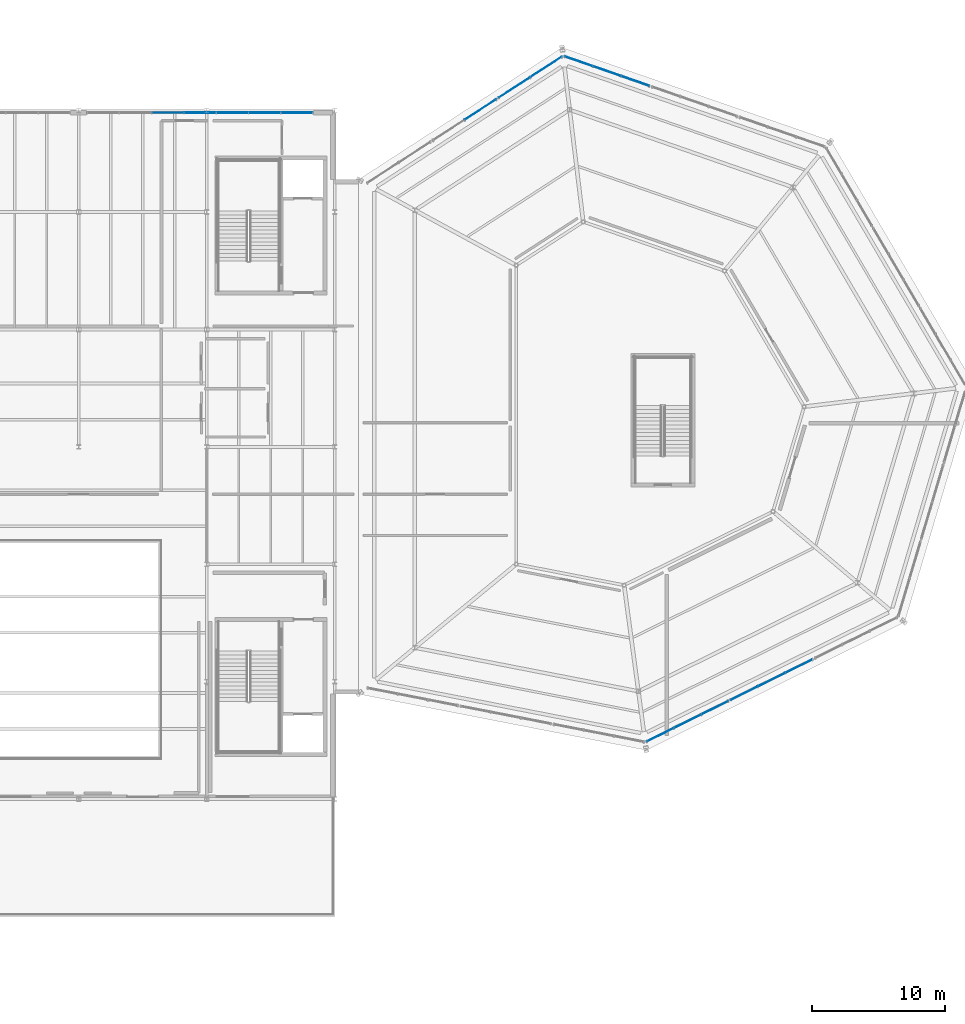
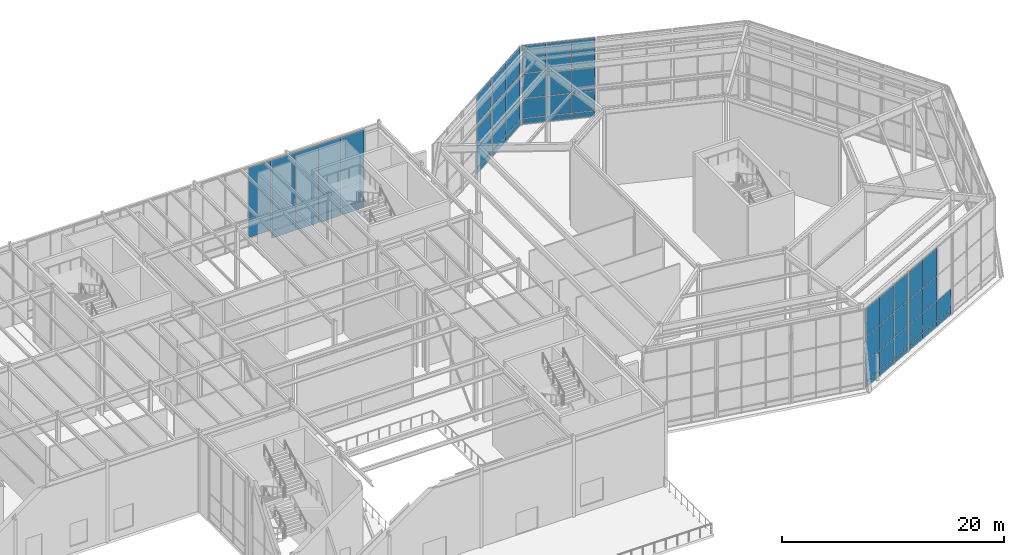
# One storey, part 28 of 48: 60 plates, 6 elements without a shape of their own.
"""IFC4 building model written with IfcOpenShell, lengths in metres."""

import ifcopenshell
import ifcopenshell.guid

model = None  # the IFC model being written
_history = None  # IfcOwnerHistory: only IFC2X3 demands one
_inside = {}  # id of a spatial element -> (the spatial element, [elements in it])
_under = {}  # id of a project, library or spatial element -> (it, [spatial elements below it])
_declared = {}  # id of a project -> (the project, [libraries it declares])
_typed = {}  # id of a type object -> (the type object, [elements of that type])
_made_of = {}  # id of a material, layer set ... -> (it, [elements and type objects made of it])


def new_model(schema):
    """Start an empty IFC model of exactly this schema.

    Asked for "IFC4X3", IfcOpenShell would pick the latest addendum, in which some entities
    have other attributes; the version numbers below select the first issue.
    IFC2X3 requires an IfcOwnerHistory on every rooted entity: one is made here for all.
    """
    global model, _history
    if schema == "IFC4X3":
        model = ifcopenshell.file(schema_version=(4, 3, 0, 0))
    else:
        model = ifcopenshell.file(schema=schema)
    _inside.clear()
    _under.clear()
    _declared.clear()
    _typed.clear()
    _made_of.clear()
    _history = None
    if model.schema == "IFC2X3":
        org = make("IfcOrganization", Name="unknown")
        user = make(
            "IfcPersonAndOrganization",
            ThePerson=make("IfcPerson", FamilyName="unknown"),
            TheOrganization=org,
        )
        app = make(
            "IfcApplication",
            ApplicationDeveloper=org,
            Version="unknown",
            ApplicationFullName="unknown",
            ApplicationIdentifier="unknown",
        )
        _history = make(
            "IfcOwnerHistory",
            OwningUser=user,
            OwningApplication=app,
            ChangeAction="ADDED",
            CreationDate=0,
        )
    return model


def make(cls, **values):
    """One entity of the class cls with the attributes given. An attribute that is None is left unset."""
    return model.create_entity(
        cls, **{name: value for name, value in values.items() if value is not None}
    )


def rooted(cls, **values):
    """An entity with a GlobalId (a new one), such as an element, a storey or a relation."""
    return make(cls, GlobalId=ifcopenshell.guid.new(), OwnerHistory=_history, **values)


def si_unit(unit_type, name, prefix=None):
    """IfcSIUnit, for example si_unit("LENGTHUNIT", "METRE", prefix="MILLI")."""
    return make("IfcSIUnit", UnitType=unit_type, Prefix=prefix, Name=name)


def assignment(units):
    """IfcUnitAssignment: the units of a project."""
    return None if units is None else make("IfcUnitAssignment", Units=units)


def point(xyz):
    """IfcCartesianPoint."""
    return None if xyz is None else make("IfcCartesianPoint", Coordinates=xyz)


def direction(xyz):
    """IfcDirection."""
    return None if xyz is None else make("IfcDirection", DirectionRatios=xyz)


def frame(location, z_axis=None, x_axis=None):
    """IfcAxis2Placement3D, a coordinate frame: its origin and axes. An axis left out is left unset."""
    return make(
        "IfcAxis2Placement3D",
        Location=point(location),
        Axis=direction(z_axis),
        RefDirection=direction(x_axis),
    )


def frame_2d(location, x_axis=None):
    """IfcAxis2Placement2D, a coordinate frame in the plane: its origin and x axis."""
    return make(
        "IfcAxis2Placement2D", Location=point(location), RefDirection=direction(x_axis)
    )


def origin():
    """The frame at (0, 0, 0) with its axes left unset."""
    return frame((0.0, 0.0, 0.0))


def origin_2d():
    """The frame at (0, 0) in the plane with its x axis left unset."""
    return frame_2d((0.0, 0.0))


def place(relative_to, where):
    """IfcLocalPlacement: puts the frame where relative to a parent placement (None: the world)."""
    return make(
        "IfcLocalPlacement", PlacementRelTo=relative_to, RelativePlacement=where
    )


def context(
    kind, dimensions, precision=None, world=None, true_north=None, identifier=None
):
    """IfcGeometricRepresentationContext, for example the 3D "Model" context."""
    return make(
        "IfcGeometricRepresentationContext",
        ContextIdentifier=identifier,
        ContextType=kind,
        CoordinateSpaceDimension=dimensions,
        Precision=precision,
        WorldCoordinateSystem=world,
        TrueNorth=true_north,
    )


def subcontext(parent, identifier, kind, view, scale=None):
    """IfcGeometricRepresentationSubContext, for example "Body" below "Model"."""
    return make(
        "IfcGeometricRepresentationSubContext",
        ContextIdentifier=identifier,
        ContextType=kind,
        ParentContext=parent,
        TargetScale=scale,
        TargetView=view,
    )


def project(units=None, contexts=None):
    """IfcProject with its units and contexts."""
    return rooted(
        "IfcProject",
        Name="project",
        RepresentationContexts=contexts,
        UnitsInContext=assignment(units),
    )


def spatial(cls, under=None, at=None, **own):
    """A site, building, storey or space (cls), placed at a placement, below another one or the project."""
    s = rooted(cls, ObjectPlacement=at, **own)
    if under is not None:
        _under.setdefault(under.id(), (under, []))[1].append(s)
    return s


def profile(cls, at=None, kind="AREA", **sizes):
    """A parametric profile (cls). Its sizes go by their IFC names, for example OverallWidth=200.0."""
    return make(cls, ProfileType=kind, Position=at, **sizes)


def rectangle(**sizes):
    """IfcRectangleProfileDef."""
    return profile("IfcRectangleProfileDef", **sizes)


def extrude(swept, where, along, depth):
    """IfcExtrudedAreaSolid: the profile swept, set in the frame where, extruded along a direction by depth."""
    return make(
        "IfcExtrudedAreaSolid",
        SweptArea=swept,
        Position=where,
        ExtrudedDirection=direction(along),
        Depth=depth,
    )


def shape(context_of_items, identifier, shape_type, items):
    """IfcShapeRepresentation: the items that make up one representation, for example the "Body"."""
    return make(
        "IfcShapeRepresentation",
        ContextOfItems=context_of_items,
        RepresentationIdentifier=identifier,
        RepresentationType=shape_type,
        Items=items,
    )


def material(Name=None, Category=None):
    """IfcMaterial."""
    return make("IfcMaterial", Name=Name, Category=Category)


def layer(
    of_material, thickness, ventilated=None, Name=None, Category=None, Priority=None
):
    """IfcMaterialLayer: one layer of a wall or slab, of a material (None: an air gap)."""
    return make(
        "IfcMaterialLayer",
        Material=of_material,
        LayerThickness=thickness,
        IsVentilated=ventilated,
        Name=Name,
        Category=Category,
        Priority=Priority,
    )


def layer_set(layers, Name=None):
    """IfcMaterialLayerSet."""
    return make("IfcMaterialLayerSet", MaterialLayers=layers, LayerSetName=Name)


def made_of(thing, what):
    """Note that an element or type object is made of a material, layer set ...; save() writes the relation."""
    if what is not None:
        _made_of.setdefault(what.id(), (what, []))[1].append(thing)
    return thing


def type_object(cls, material=None, **own):
    """A type object (cls), such as IfcWallType, which elements share."""
    return made_of(rooted(cls, **own), material)


def element(
    cls,
    number,
    at=None,
    inside=None,
    cuts=None,
    type_object=None,
    material=None,
    context=None,
    identifier="Body",
    shape_type=None,
    held_by="IfcProductDefinitionShape",
    body=None,
    shapes=None,
    **own,
):
    """One element of the class cls, such as IfcWall. Its Tag is "e" and its number.

    at: its placement. inside: the storey or other place that contains it. cuts: it is an
    opening in that element (IfcRelVoidsElement). A single representation is given by context,
    identifier, shape_type and body (its items); several are given by shapes. held_by: the class
    of the entity that holds the representations. save() writes the other relations.
    """
    e = rooted(cls, Tag="e%d" % number, ObjectPlacement=at, **own)
    if body is not None:
        shapes = [shape(context, identifier, shape_type, body)]
    if shapes is not None:
        e.Representation = make(held_by, Representations=shapes)
    if inside is not None:
        _inside.setdefault(inside.id(), (inside, []))[1].append(e)
    if cuts is not None:
        rooted(
            "IfcRelVoidsElement", RelatingBuildingElement=cuts, RelatedOpeningElement=e
        )
    if type_object is not None:
        _typed.setdefault(type_object.id(), (type_object, []))[1].append(e)
    return made_of(e, material)


def aggregate(whole, parts):
    """IfcRelAggregates: a whole, such as a stair, and the parts it consists of."""
    return rooted("IfcRelAggregates", RelatingObject=whole, RelatedObjects=parts)


def save(model, path):
    """Write the relations noted so far, then the file.

    IfcRelAggregates (storeys below a building ...), IfcRelContainedInSpatialStructure (elements
    in a storey), IfcRelDefinesByType, IfcRelAssociatesMaterial and IfcRelDeclares: one each for
    every whole, place, type object, material and project.
    """
    for whole, parts in _under.values():
        aggregate(whole, parts)
    for where, things in _inside.values():
        rooted(
            "IfcRelContainedInSpatialStructure",
            RelatedElements=things,
            RelatingStructure=where,
        )
    for kind, things in _typed.values():
        rooted("IfcRelDefinesByType", RelatedObjects=things, RelatingType=kind)
    for what, things in _made_of.values():
        rooted("IfcRelAssociatesMaterial", RelatedObjects=things, RelatingMaterial=what)
    for by, libraries in _declared.values():
        rooted("IfcRelDeclares", RelatingContext=by, RelatedDefinitions=libraries)
    model.write(path)


model = new_model("IFC4")

# Units and contexts
model_context = context("Model", 3, precision=1e-05, world=origin(), true_north=direction((0.0, 1.0)))
body_context = subcontext(model_context, "Body", "Model", "MODEL_VIEW")
ifc_project = project(units=[si_unit("LENGTHUNIT", "METRE"), si_unit("AREAUNIT", "SQUARE_METRE"), si_unit("VOLUMEUNIT", "CUBIC_METRE"), si_unit("PLANEANGLEUNIT", "RADIAN"), si_unit("MASSUNIT", "GRAM", prefix="KILO")], contexts=[model_context])

# Site, building, storey
site_placement = place(None, origin())
site = spatial("IfcSite", under=ifc_project, at=site_placement, CompositionType="ELEMENT")
building_placement = place(site_placement, origin())
building = spatial("IfcBuilding", under=site, at=building_placement, Name="Sarnbrook Museum", CompositionType="ELEMENT")
storey_placement = place(building_placement, frame((0.0, 0.0, 19.10009765625)))
storey = spatial("IfcBuildingStorey", under=building, at=storey_placement, Name="L04", CompositionType="ELEMENT", Elevation=19.10009765625)

# Curtain wall, plates
ifc_material_1 = material(Name="Thermally Broken Anodised Aluminium 6063-T6", Category="aluminium")
curtain_wall_type_1 = type_object("IfcCurtainWallType", Name="CurtainWall_CrystalFacet", PredefinedType="NOTDEFINED", material=ifc_material_1)
curtain_wall_1_placement = place(storey_placement, origin())
curtain_wall_1 = element("IfcCurtainWall", 1, at=curtain_wall_1_placement, inside=storey, type_object=curtain_wall_type_1, Name="Crystal Hall Facet Curtain Wall L04-F2.1", PredefinedType="NOTDEFINED")
ifc_material_2 = material(Name="Double-Glazed Low-Iron Laminated Safety Glass", Category="glass")
ifc_layer_1 = layer(ifc_material_2, 0.031982421875)
ifc_layer_set_1 = layer_set([ifc_layer_1], Name="Double-Glazed Low-Iron Laminated Safety Glass")
plate_type_1 = type_object("IfcPlateType", Name="CW_GlazedPanel_32", PredefinedType="CURTAIN_PANEL", material=ifc_layer_set_1)
plate_1_placement = place(storey_placement, frame((143.567138671875, 61.614013671875, 1.75), z_axis=(0.443729053882, -0.896160993762, 0.0), x_axis=(0.896160993762, 0.443729053882, 0.0)))
plate_1 = element("IfcPlate", 2, at=plate_1_placement, type_object=plate_type_1, Name="Crystal Hall Facet Curtain Wall L04-F2.1 Glazed Panel 1-2", PredefinedType="CURTAIN_PANEL", context=body_context, shape_type="SweptSolid", body=[
    extrude(rectangle(XDim=2.223388671875, YDim=2.1298828125, at=origin_2d()), origin(), (0.0, 0.0, 1.0), 0.031982421875),
])
plate_2_placement = place(storey_placement, frame((143.567138671875, 61.614013671875, 4.224853515625), z_axis=(0.443729053882, -0.896160993762, 0.0), x_axis=(0.896160993762, 0.443729053882, 0.0)))
plate_2 = element("IfcPlate", 3, at=plate_2_placement, type_object=plate_type_1, Name="Crystal Hall Facet Curtain Wall L04-F2.1 Glazed Panel 1-3", PredefinedType="CURTAIN_PANEL", context=body_context, shape_type="SweptSolid", body=[
    extrude(rectangle(XDim=2.223388671875, YDim=2.679931640625, at=origin_2d()), origin(), (0.0, 0.0, 1.0), 0.031982421875),
])
plate_3_placement = place(storey_placement, frame((143.567138671875, 61.614013671875, 7.169921875), z_axis=(0.443729053882, -0.896160993762, 0.0), x_axis=(0.896160993762, 0.443729053882, 0.0)))
plate_3 = element("IfcPlate", 4, at=plate_3_placement, type_object=plate_type_1, Name="Crystal Hall Facet Curtain Wall L04-F2.1 Glazed Panel 1-4", PredefinedType="CURTAIN_PANEL", context=body_context, shape_type="SweptSolid", body=[
    extrude(rectangle(XDim=2.223388671875, YDim=3.070068359375, at=origin_2d()), origin(), (0.0, 0.0, 1.0), 0.031982421875),
])
plate_4_placement = place(storey_placement, frame((145.626708984375, 62.6337890625, 1.75), z_axis=(0.443729053882, -0.896160993762, 0.0), x_axis=(0.896160993762, 0.443729053882, 0.0)))
plate_4 = element("IfcPlate", 5, at=plate_4_placement, type_object=plate_type_1, Name="Crystal Hall Facet Curtain Wall L04-F2.1 Glazed Panel 2-2", PredefinedType="CURTAIN_PANEL", context=body_context, shape_type="SweptSolid", body=[
    extrude(rectangle(XDim=2.223388671875, YDim=2.1298828125, at=origin_2d()), origin(), (0.0, 0.0, 1.0), 0.031982421875),
])
plate_5_placement = place(storey_placement, frame((145.626708984375, 62.6337890625, 4.224853515625), z_axis=(0.443729053882, -0.896160993762, 0.0), x_axis=(0.896160993762, 0.443729053882, 0.0)))
plate_5 = element("IfcPlate", 6, at=plate_5_placement, type_object=plate_type_1, Name="Crystal Hall Facet Curtain Wall L04-F2.1 Glazed Panel 2-3", PredefinedType="CURTAIN_PANEL", context=body_context, shape_type="SweptSolid", body=[
    extrude(rectangle(XDim=2.223388671875, YDim=2.679931640625, at=origin_2d()), origin(), (0.0, 0.0, 1.0), 0.031982421875),
])
plate_6_placement = place(storey_placement, frame((145.626708984375, 62.6337890625, 7.169921875), z_axis=(0.443729053882, -0.896160993762, 0.0), x_axis=(0.896160993762, 0.443729053882, 0.0)))
plate_6 = element("IfcPlate", 7, at=plate_6_placement, type_object=plate_type_1, Name="Crystal Hall Facet Curtain Wall L04-F2.1 Glazed Panel 2-4", PredefinedType="CURTAIN_PANEL", context=body_context, shape_type="SweptSolid", body=[
    extrude(rectangle(XDim=2.223388671875, YDim=3.070068359375, at=origin_2d()), origin(), (0.0, 0.0, 1.0), 0.031982421875),
])
plate_7_placement = place(storey_placement, frame((147.6865234375, 63.65380859375, 1.75), z_axis=(0.443729053882, -0.896160993762, 0.0), x_axis=(0.896160993762, 0.443729053882, 0.0)))
plate_7 = element("IfcPlate", 8, at=plate_7_placement, type_object=plate_type_1, Name="Crystal Hall Facet Curtain Wall L04-F2.1 Glazed Panel 3-2", PredefinedType="CURTAIN_PANEL", context=body_context, shape_type="SweptSolid", body=[
    extrude(rectangle(XDim=2.223388671875, YDim=2.1298828125, at=origin_2d()), origin(), (0.0, 0.0, 1.0), 0.031982421875),
])
plate_8_placement = place(storey_placement, frame((147.6865234375, 63.65380859375, 4.224853515625), z_axis=(0.443729053882, -0.896160993762, 0.0), x_axis=(0.896160993762, 0.443729053882, 0.0)))
plate_8 = element("IfcPlate", 9, at=plate_8_placement, type_object=plate_type_1, Name="Crystal Hall Facet Curtain Wall L04-F2.1 Glazed Panel 3-3", PredefinedType="CURTAIN_PANEL", context=body_context, shape_type="SweptSolid", body=[
    extrude(rectangle(XDim=2.223388671875, YDim=2.679931640625, at=origin_2d()), origin(), (0.0, 0.0, 1.0), 0.031982421875),
])
plate_9_placement = place(storey_placement, frame((147.6865234375, 63.65380859375, 7.169921875), z_axis=(0.443729053882, -0.896160993762, 0.0), x_axis=(0.896160993762, 0.443729053882, 0.0)))
plate_9 = element("IfcPlate", 10, at=plate_9_placement, type_object=plate_type_1, Name="Crystal Hall Facet Curtain Wall L04-F2.1 Glazed Panel 3-4", PredefinedType="CURTAIN_PANEL", context=body_context, shape_type="SweptSolid", body=[
    extrude(rectangle(XDim=2.223388671875, YDim=3.070068359375, at=origin_2d()), origin(), (0.0, 0.0, 1.0), 0.031982421875),
])

curtain_wall_2_placement = place(storey_placement, origin())
curtain_wall_2 = element("IfcCurtainWall", 11, at=curtain_wall_2_placement, inside=storey, type_object=curtain_wall_type_1, Name="Crystal Hall Facet Curtain Wall L04-F2.2", PredefinedType="NOTDEFINED")
plate_10_placement = place(storey_placement, frame((149.8896484375, 64.74462890625, 1.75), z_axis=(0.443729053882, -0.896160993762, 0.0), x_axis=(0.896160993762, 0.443729053882, 0.0)))
plate_10 = element("IfcPlate", 12, at=plate_10_placement, type_object=plate_type_1, Name="Crystal Hall Facet Curtain Wall L04-F2.2 Glazed Panel 1-2", PredefinedType="CURTAIN_PANEL", context=body_context, shape_type="SweptSolid", body=[
    extrude(rectangle(XDim=2.223388671875, YDim=2.1298828125, at=origin_2d()), origin(), (0.0, 0.0, 1.0), 0.031982421875),
])
plate_11_placement = place(storey_placement, frame((149.8896484375, 64.74462890625, 4.224853515625), z_axis=(0.443729053882, -0.896160993762, 0.0), x_axis=(0.896160993762, 0.443729053882, 0.0)))
plate_11 = element("IfcPlate", 13, at=plate_11_placement, type_object=plate_type_1, Name="Crystal Hall Facet Curtain Wall L04-F2.2 Glazed Panel 1-3", PredefinedType="CURTAIN_PANEL", context=body_context, shape_type="SweptSolid", body=[
    extrude(rectangle(XDim=2.223388671875, YDim=2.679931640625, at=origin_2d()), origin(), (0.0, 0.0, 1.0), 0.031982421875),
])
plate_12_placement = place(storey_placement, frame((149.8896484375, 64.74462890625, 7.169921875), z_axis=(0.443729053882, -0.896160993762, 0.0), x_axis=(0.896160993762, 0.443729053882, 0.0)))
plate_12 = element("IfcPlate", 14, at=plate_12_placement, type_object=plate_type_1, Name="Crystal Hall Facet Curtain Wall L04-F2.2 Glazed Panel 1-4", PredefinedType="CURTAIN_PANEL", context=body_context, shape_type="SweptSolid", body=[
    extrude(rectangle(XDim=2.223388671875, YDim=3.070068359375, at=origin_2d()), origin(), (0.0, 0.0, 1.0), 0.031982421875),
])
plate_13_placement = place(storey_placement, frame((151.94921875, 65.764404296875, 1.75), z_axis=(0.443729053882, -0.896160993762, 0.0), x_axis=(0.896160993762, 0.443729053882, 0.0)))
plate_13 = element("IfcPlate", 15, at=plate_13_placement, type_object=plate_type_1, Name="Crystal Hall Facet Curtain Wall L04-F2.2 Glazed Panel 2-2", PredefinedType="CURTAIN_PANEL", context=body_context, shape_type="SweptSolid", body=[
    extrude(rectangle(XDim=2.223388671875, YDim=2.1298828125, at=origin_2d()), origin(), (0.0, 0.0, 1.0), 0.031982421875),
])
plate_14_placement = place(storey_placement, frame((151.94921875, 65.764404296875, 4.224853515625), z_axis=(0.443729053882, -0.896160993762, 0.0), x_axis=(0.896160993762, 0.443729053882, 0.0)))
plate_14 = element("IfcPlate", 16, at=plate_14_placement, type_object=plate_type_1, Name="Crystal Hall Facet Curtain Wall L04-F2.2 Glazed Panel 2-3", PredefinedType="CURTAIN_PANEL", context=body_context, shape_type="SweptSolid", body=[
    extrude(rectangle(XDim=2.223388671875, YDim=2.679931640625, at=origin_2d()), origin(), (0.0, 0.0, 1.0), 0.031982421875),
])
plate_15_placement = place(storey_placement, frame((151.94921875, 65.764404296875, 7.169921875), z_axis=(0.443729053882, -0.896160993762, 0.0), x_axis=(0.896160993762, 0.443729053882, 0.0)))
plate_15 = element("IfcPlate", 17, at=plate_15_placement, type_object=plate_type_1, Name="Crystal Hall Facet Curtain Wall L04-F2.2 Glazed Panel 2-4", PredefinedType="CURTAIN_PANEL", context=body_context, shape_type="SweptSolid", body=[
    extrude(rectangle(XDim=2.223388671875, YDim=3.070068359375, at=origin_2d()), origin(), (0.0, 0.0, 1.0), 0.031982421875),
])
plate_16_placement = place(storey_placement, frame((154.009033203125, 66.784423828125, 1.75), z_axis=(0.443729053882, -0.896160993762, 0.0), x_axis=(0.896160993762, 0.443729053882, 0.0)))
plate_16 = element("IfcPlate", 18, at=plate_16_placement, type_object=plate_type_1, Name="Crystal Hall Facet Curtain Wall L04-F2.2 Glazed Panel 3-2", PredefinedType="CURTAIN_PANEL", context=body_context, shape_type="SweptSolid", body=[
    extrude(rectangle(XDim=2.223388671875, YDim=2.1298828125, at=origin_2d()), origin(), (0.0, 0.0, 1.0), 0.031982421875),
])

curtain_wall_3_placement = place(storey_placement, origin())
curtain_wall_3 = element("IfcCurtainWall", 19, at=curtain_wall_3_placement, inside=storey, type_object=curtain_wall_type_1, Name="Crystal Hall Facet Curtain Wall L04-F5.3", PredefinedType="NOTDEFINED")
plate_17_placement = place(storey_placement, frame((141.733154296875, 110.610595703125, 1.75), z_axis=(0.32801323482, 0.94467312748, 0.0), x_axis=(-0.94467312748, 0.32801323482, 0.0)))
plate_17 = element("IfcPlate", 20, at=plate_17_placement, type_object=plate_type_1, Name="Crystal Hall Facet Curtain Wall L04-F5.3 Glazed Panel 1-2", PredefinedType="CURTAIN_PANEL", context=body_context, shape_type="SweptSolid", body=[
    extrude(rectangle(XDim=2.18798828125, YDim=2.1298828125, at=origin_2d()), origin(), (0.0, 0.0, 1.0), 0.031982421875),
])
plate_18_placement = place(storey_placement, frame((141.733154296875, 110.610595703125, 4.224853515625), z_axis=(0.32801323482, 0.94467312748, 0.0), x_axis=(-0.94467312748, 0.32801323482, 0.0)))
plate_18 = element("IfcPlate", 21, at=plate_18_placement, type_object=plate_type_1, Name="Crystal Hall Facet Curtain Wall L04-F5.3 Glazed Panel 1-3", PredefinedType="CURTAIN_PANEL", context=body_context, shape_type="SweptSolid", body=[
    extrude(rectangle(XDim=2.18798828125, YDim=2.679931640625, at=origin_2d()), origin(), (0.0, 0.0, 1.0), 0.031982421875),
])
plate_19_placement = place(storey_placement, frame((141.733154296875, 110.610595703125, 7.169921875), z_axis=(0.32801323482, 0.94467312748, 0.0), x_axis=(-0.94467312748, 0.32801323482, 0.0)))
plate_19 = element("IfcPlate", 22, at=plate_19_placement, type_object=plate_type_1, Name="Crystal Hall Facet Curtain Wall L04-F5.3 Glazed Panel 1-4", PredefinedType="CURTAIN_PANEL", context=body_context, shape_type="SweptSolid", body=[
    extrude(rectangle(XDim=2.18798828125, YDim=3.070068359375, at=origin_2d()), origin(), (0.0, 0.0, 1.0), 0.031982421875),
])
plate_20_placement = place(storey_placement, frame((139.59521484375, 111.352783203125, 1.75), z_axis=(0.32801323482, 0.94467312748, 0.0), x_axis=(-0.94467312748, 0.32801323482, 0.0)))
plate_20 = element("IfcPlate", 23, at=plate_20_placement, type_object=plate_type_1, Name="Crystal Hall Facet Curtain Wall L04-F5.3 Glazed Panel 2-2", PredefinedType="CURTAIN_PANEL", context=body_context, shape_type="SweptSolid", body=[
    extrude(rectangle(XDim=2.18798828125, YDim=2.1298828125, at=origin_2d()), origin(), (0.0, 0.0, 1.0), 0.031982421875),
])
plate_21_placement = place(storey_placement, frame((139.59521484375, 111.352783203125, 4.224853515625), z_axis=(0.32801323482, 0.94467312748, 0.0), x_axis=(-0.94467312748, 0.32801323482, 0.0)))
plate_21 = element("IfcPlate", 24, at=plate_21_placement, type_object=plate_type_1, Name="Crystal Hall Facet Curtain Wall L04-F5.3 Glazed Panel 2-3", PredefinedType="CURTAIN_PANEL", context=body_context, shape_type="SweptSolid", body=[
    extrude(rectangle(XDim=2.18798828125, YDim=2.679931640625, at=origin_2d()), origin(), (0.0, 0.0, 1.0), 0.031982421875),
])
plate_22_placement = place(storey_placement, frame((139.59521484375, 111.352783203125, 7.169921875), z_axis=(0.32801323482, 0.94467312748, 0.0), x_axis=(-0.94467312748, 0.32801323482, 0.0)))
plate_22 = element("IfcPlate", 25, at=plate_22_placement, type_object=plate_type_1, Name="Crystal Hall Facet Curtain Wall L04-F5.3 Glazed Panel 2-4", PredefinedType="CURTAIN_PANEL", context=body_context, shape_type="SweptSolid", body=[
    extrude(rectangle(XDim=2.18798828125, YDim=3.070068359375, at=origin_2d()), origin(), (0.0, 0.0, 1.0), 0.031982421875),
])
plate_23_placement = place(storey_placement, frame((137.457275390625, 112.09521484375, 1.75), z_axis=(0.32801323482, 0.94467312748, 0.0), x_axis=(-0.94467312748, 0.32801323482, 0.0)))
plate_23 = element("IfcPlate", 26, at=plate_23_placement, type_object=plate_type_1, Name="Crystal Hall Facet Curtain Wall L04-F5.3 Glazed Panel 3-2", PredefinedType="CURTAIN_PANEL", context=body_context, shape_type="SweptSolid", body=[
    extrude(rectangle(XDim=2.18798828125, YDim=2.1298828125, at=origin_2d()), origin(), (0.0, 0.0, 1.0), 0.031982421875),
])
plate_24_placement = place(storey_placement, frame((137.457275390625, 112.09521484375, 4.224853515625), z_axis=(0.32801323482, 0.94467312748, 0.0), x_axis=(-0.94467312748, 0.32801323482, 0.0)))
plate_24 = element("IfcPlate", 27, at=plate_24_placement, type_object=plate_type_1, Name="Crystal Hall Facet Curtain Wall L04-F5.3 Glazed Panel 3-3", PredefinedType="CURTAIN_PANEL", context=body_context, shape_type="SweptSolid", body=[
    extrude(rectangle(XDim=2.18798828125, YDim=2.679931640625, at=origin_2d()), origin(), (0.0, 0.0, 1.0), 0.031982421875),
])
plate_25_placement = place(storey_placement, frame((137.457275390625, 112.09521484375, 7.169921875), z_axis=(0.32801323482, 0.94467312748, 0.0), x_axis=(-0.94467312748, 0.32801323482, 0.0)))
plate_25 = element("IfcPlate", 28, at=plate_25_placement, type_object=plate_type_1, Name="Crystal Hall Facet Curtain Wall L04-F5.3 Glazed Panel 3-4", PredefinedType="CURTAIN_PANEL", context=body_context, shape_type="SweptSolid", body=[
    extrude(rectangle(XDim=2.18798828125, YDim=3.070068359375, at=origin_2d()), origin(), (0.0, 0.0, 1.0), 0.031982421875),
])

curtain_wall_4_placement = place(storey_placement, origin())
curtain_wall_4 = element("IfcCurtainWall", 29, at=curtain_wall_4_placement, inside=storey, type_object=curtain_wall_type_1, Name="Crystal Hall Facet Curtain Wall L04-F6.1", PredefinedType="NOTDEFINED")
plate_26_placement = place(storey_placement, frame((135.055908203125, 111.673583984375, 1.75), z_axis=(-0.544286878136, 0.83889915621, 0.0), x_axis=(-0.83889915621, -0.544286878136, 0.0)))
plate_26 = element("IfcPlate", 30, at=plate_26_placement, type_object=plate_type_1, Name="Crystal Hall Facet Curtain Wall L04-F6.1 Glazed Panel 1-2", PredefinedType="CURTAIN_PANEL", context=body_context, shape_type="SweptSolid", body=[
    extrude(rectangle(XDim=2.778076171875, YDim=2.1298828125, at=origin_2d()), origin(), (0.0, 0.0, 1.0), 0.031982421875),
])
plate_27_placement = place(storey_placement, frame((135.055908203125, 111.673583984375, 4.224853515625), z_axis=(-0.544286878136, 0.83889915621, 0.0), x_axis=(-0.83889915621, -0.544286878136, 0.0)))
plate_27 = element("IfcPlate", 31, at=plate_27_placement, type_object=plate_type_1, Name="Crystal Hall Facet Curtain Wall L04-F6.1 Glazed Panel 1-3", PredefinedType="CURTAIN_PANEL", context=body_context, shape_type="SweptSolid", body=[
    extrude(rectangle(XDim=2.778076171875, YDim=2.679931640625, at=origin_2d()), origin(), (0.0, 0.0, 1.0), 0.031982421875),
])
plate_28_placement = place(storey_placement, frame((135.055908203125, 111.673583984375, 7.169921875), z_axis=(-0.544286878136, 0.83889915621, 0.0), x_axis=(-0.83889915621, -0.544286878136, 0.0)))
plate_28 = element("IfcPlate", 32, at=plate_28_placement, type_object=plate_type_1, Name="Crystal Hall Facet Curtain Wall L04-F6.1 Glazed Panel 1-4", PredefinedType="CURTAIN_PANEL", context=body_context, shape_type="SweptSolid", body=[
    extrude(rectangle(XDim=2.778076171875, YDim=3.070068359375, at=origin_2d()), origin(), (0.0, 0.0, 1.0), 0.031982421875),
])
plate_29_placement = place(storey_placement, frame((132.66259765625, 110.12060546875, 1.75), z_axis=(-0.544286878136, 0.83889915621, 0.0), x_axis=(-0.83889915621, -0.544286878136, 0.0)))
plate_29 = element("IfcPlate", 33, at=plate_29_placement, type_object=plate_type_1, Name="Crystal Hall Facet Curtain Wall L04-F6.1 Glazed Panel 2-2", PredefinedType="CURTAIN_PANEL", context=body_context, shape_type="SweptSolid", body=[
    extrude(rectangle(XDim=2.778076171875, YDim=2.1298828125, at=origin_2d()), origin(), (0.0, 0.0, 1.0), 0.031982421875),
])
plate_30_placement = place(storey_placement, frame((132.66259765625, 110.12060546875, 4.224853515625), z_axis=(-0.544286878136, 0.83889915621, 0.0), x_axis=(-0.83889915621, -0.544286878136, 0.0)))
plate_30 = element("IfcPlate", 34, at=plate_30_placement, type_object=plate_type_1, Name="Crystal Hall Facet Curtain Wall L04-F6.1 Glazed Panel 2-3", PredefinedType="CURTAIN_PANEL", context=body_context, shape_type="SweptSolid", body=[
    extrude(rectangle(XDim=2.778076171875, YDim=2.679931640625, at=origin_2d()), origin(), (0.0, 0.0, 1.0), 0.031982421875),
])
plate_31_placement = place(storey_placement, frame((132.66259765625, 110.12060546875, 7.169921875), z_axis=(-0.544286878136, 0.83889915621, 0.0), x_axis=(-0.83889915621, -0.544286878136, 0.0)))
plate_31 = element("IfcPlate", 35, at=plate_31_placement, type_object=plate_type_1, Name="Crystal Hall Facet Curtain Wall L04-F6.1 Glazed Panel 2-4", PredefinedType="CURTAIN_PANEL", context=body_context, shape_type="SweptSolid", body=[
    extrude(rectangle(XDim=2.778076171875, YDim=3.070068359375, at=origin_2d()), origin(), (0.0, 0.0, 1.0), 0.031982421875),
])

curtain_wall_5_placement = place(storey_placement, origin())
curtain_wall_5 = element("IfcCurtainWall", 36, at=curtain_wall_5_placement, inside=storey, type_object=curtain_wall_type_1, Name="Crystal Hall Facet Curtain Wall L04-F6.2", PredefinedType="NOTDEFINED")
plate_32_placement = place(storey_placement, frame((130.135009765625, 108.480712890625, 1.75), z_axis=(-0.544286878136, 0.83889915621, 0.0), x_axis=(-0.83889915621, -0.544286878136, 0.0)))
plate_32 = element("IfcPlate", 37, at=plate_32_placement, type_object=plate_type_1, Name="Crystal Hall Facet Curtain Wall L04-F6.2 Glazed Panel 1-2", PredefinedType="CURTAIN_PANEL", context=body_context, shape_type="SweptSolid", body=[
    extrude(rectangle(XDim=2.778076171875, YDim=2.1298828125, at=origin_2d()), origin(), (0.0, 0.0, 1.0), 0.031982421875),
])
plate_33_placement = place(storey_placement, frame((130.135009765625, 108.480712890625, 4.224853515625), z_axis=(-0.544286878136, 0.83889915621, 0.0), x_axis=(-0.83889915621, -0.544286878136, 0.0)))
plate_33 = element("IfcPlate", 38, at=plate_33_placement, type_object=plate_type_1, Name="Crystal Hall Facet Curtain Wall L04-F6.2 Glazed Panel 1-3", PredefinedType="CURTAIN_PANEL", context=body_context, shape_type="SweptSolid", body=[
    extrude(rectangle(XDim=2.778076171875, YDim=2.679931640625, at=origin_2d()), origin(), (0.0, 0.0, 1.0), 0.031982421875),
])
plate_34_placement = place(storey_placement, frame((130.135009765625, 108.480712890625, 7.169921875), z_axis=(-0.544286878136, 0.83889915621, 0.0), x_axis=(-0.83889915621, -0.544286878136, 0.0)))
plate_34 = element("IfcPlate", 39, at=plate_34_placement, type_object=plate_type_1, Name="Crystal Hall Facet Curtain Wall L04-F6.2 Glazed Panel 1-4", PredefinedType="CURTAIN_PANEL", context=body_context, shape_type="SweptSolid", body=[
    extrude(rectangle(XDim=2.778076171875, YDim=3.070068359375, at=origin_2d()), origin(), (0.0, 0.0, 1.0), 0.031982421875),
])

curtain_wall_type_2 = type_object("IfcCurtainWallType", Name="CurtainWall_GalleryRibbon", PredefinedType="NOTDEFINED", material=ifc_material_1)
curtain_wall_6_placement = place(storey_placement, origin())
curtain_wall_6 = element("IfcCurtainWall", 40, at=curtain_wall_6_placement, inside=storey, type_object=curtain_wall_type_2, Name="Gallery Ribbon Curtain Wall L04-10.1", PredefinedType="NOTDEFINED")
plate_35_placement = place(storey_placement, frame((116.36865234375, 108.23193359375, 1.949951171875), z_axis=(0.0, 1.0, 0.0), x_axis=(-1.0, 0.0, 0.0)))
plate_35 = element("IfcPlate", 41, at=plate_35_placement, type_object=plate_type_1, Name="Gallery Ribbon Curtain Wall L04-10.1 Glazed Panel 1-2", PredefinedType="CURTAIN_PANEL", context=body_context, shape_type="SweptSolid", body=[
    extrude(rectangle(XDim=2.347900390625, YDim=2.030029296875, at=origin_2d()), origin(), (0.0, 0.0, 1.0), 0.031982421875),
])
plate_36_placement = place(storey_placement, frame((116.36865234375, 108.23193359375, 5.829833984375), z_axis=(0.0, 1.0, 0.0), x_axis=(-1.0, 0.0, 0.0)))
plate_36 = element("IfcPlate", 42, at=plate_36_placement, type_object=plate_type_1, Name="Gallery Ribbon Curtain Wall L04-10.1 Glazed Panel 1-3", PredefinedType="CURTAIN_PANEL", context=body_context, shape_type="SweptSolid", body=[
    extrude(rectangle(XDim=2.347900390625, YDim=5.590087890625, at=origin_2d()), origin(), (0.0, 0.0, 1.0), 0.031982421875),
])
plate_37_placement = place(storey_placement, frame((113.94580078125, 108.23193359375, 1.949951171875), z_axis=(0.0, 1.0, 0.0), x_axis=(-1.0, 0.0, 0.0)))
plate_37 = element("IfcPlate", 43, at=plate_37_placement, type_object=plate_type_1, Name="Gallery Ribbon Curtain Wall L04-10.1 Glazed Panel 2-2", PredefinedType="CURTAIN_PANEL", context=body_context, shape_type="SweptSolid", body=[
    extrude(rectangle(XDim=2.347900390625, YDim=2.030029296875, at=origin_2d()), origin(), (0.0, 0.0, 1.0), 0.031982421875),
])
plate_38_placement = place(storey_placement, frame((113.94580078125, 108.23193359375, 5.829833984375), z_axis=(0.0, 1.0, 0.0), x_axis=(-1.0, 0.0, 0.0)))
plate_38 = element("IfcPlate", 44, at=plate_38_placement, type_object=plate_type_1, Name="Gallery Ribbon Curtain Wall L04-10.1 Glazed Panel 2-3", PredefinedType="CURTAIN_PANEL", context=body_context, shape_type="SweptSolid", body=[
    extrude(rectangle(XDim=2.347900390625, YDim=5.590087890625, at=origin_2d()), origin(), (0.0, 0.0, 1.0), 0.031982421875),
])
plate_39_placement = place(storey_placement, frame((111.52294921875, 108.23193359375, 1.949951171875), z_axis=(0.0, 1.0, 0.0), x_axis=(-1.0, 0.0, 0.0)))
plate_39 = element("IfcPlate", 45, at=plate_39_placement, type_object=plate_type_1, Name="Gallery Ribbon Curtain Wall L04-10.1 Glazed Panel 3-2", PredefinedType="CURTAIN_PANEL", context=body_context, shape_type="SweptSolid", body=[
    extrude(rectangle(XDim=2.347900390625, YDim=2.030029296875, at=origin_2d()), origin(), (0.0, 0.0, 1.0), 0.031982421875),
])
plate_40_placement = place(storey_placement, frame((111.52294921875, 108.23193359375, 5.829833984375), z_axis=(0.0, 1.0, 0.0), x_axis=(-1.0, 0.0, 0.0)))
plate_40 = element("IfcPlate", 46, at=plate_40_placement, type_object=plate_type_1, Name="Gallery Ribbon Curtain Wall L04-10.1 Glazed Panel 3-3", PredefinedType="CURTAIN_PANEL", context=body_context, shape_type="SweptSolid", body=[
    extrude(rectangle(XDim=2.347900390625, YDim=5.590087890625, at=origin_2d()), origin(), (0.0, 0.0, 1.0), 0.031982421875),
])
plate_41_placement = place(storey_placement, frame((109.10009765625, 108.23193359375, 1.949951171875), z_axis=(0.0, 1.0, 0.0), x_axis=(-1.0, 0.0, 0.0)))
plate_41 = element("IfcPlate", 47, at=plate_41_placement, type_object=plate_type_1, Name="Gallery Ribbon Curtain Wall L04-10.1 Glazed Panel 4-2", PredefinedType="CURTAIN_PANEL", context=body_context, shape_type="SweptSolid", body=[
    extrude(rectangle(XDim=2.347900390625, YDim=2.030029296875, at=origin_2d()), origin(), (0.0, 0.0, 1.0), 0.031982421875),
])
plate_42_placement = place(storey_placement, frame((109.10009765625, 108.23193359375, 5.829833984375), z_axis=(0.0, 1.0, 0.0), x_axis=(-1.0, 0.0, 0.0)))
plate_42 = element("IfcPlate", 48, at=plate_42_placement, type_object=plate_type_1, Name="Gallery Ribbon Curtain Wall L04-10.1 Glazed Panel 4-3", PredefinedType="CURTAIN_PANEL", context=body_context, shape_type="SweptSolid", body=[
    extrude(rectangle(XDim=2.347900390625, YDim=5.590087890625, at=origin_2d()), origin(), (0.0, 0.0, 1.0), 0.031982421875),
])
plate_43_placement = place(storey_placement, frame((106.677001953125, 108.23193359375, 1.949951171875), z_axis=(0.0, 1.0, 0.0), x_axis=(-1.0, 0.0, 0.0)))
plate_43 = element("IfcPlate", 49, at=plate_43_placement, type_object=plate_type_1, Name="Gallery Ribbon Curtain Wall L04-10.1 Glazed Panel 5-2", PredefinedType="CURTAIN_PANEL", context=body_context, shape_type="SweptSolid", body=[
    extrude(rectangle(XDim=2.347900390625, YDim=2.030029296875, at=origin_2d()), origin(), (0.0, 0.0, 1.0), 0.031982421875),
])
plate_44_placement = place(storey_placement, frame((106.677001953125, 108.23193359375, 5.829833984375), z_axis=(0.0, 1.0, 0.0), x_axis=(-1.0, 0.0, 0.0)))
plate_44 = element("IfcPlate", 50, at=plate_44_placement, type_object=plate_type_1, Name="Gallery Ribbon Curtain Wall L04-10.1 Glazed Panel 5-3", PredefinedType="CURTAIN_PANEL", context=body_context, shape_type="SweptSolid", body=[
    extrude(rectangle(XDim=2.347900390625, YDim=5.590087890625, at=origin_2d()), origin(), (0.0, 0.0, 1.0), 0.031982421875),
])

# Plate
ifc_material_3 = material(Name="Patinated Architectural Bronze")
ifc_layer_2 = layer(ifc_material_3, 0.044921875)
ifc_layer_set_2 = layer_set([ifc_layer_2], Name="Patinated Architectural Bronze")
plate_type_2 = type_object("IfcPlateType", Name="CW_SpandrelPanel_45", PredefinedType="CURTAIN_PANEL", material=ifc_layer_set_2)
plate_45_placement = place(storey_placement, frame((143.564208984375, 61.61962890625, 0.324951171875), z_axis=(0.443729053882, -0.896160993762, 0.0), x_axis=(0.896160993762, 0.443729053882, 0.0)))
plate_45 = element("IfcPlate", 51, at=plate_45_placement, type_object=plate_type_2, Name="Crystal Hall Facet Curtain Wall L04-F2.1 Spandrel Panel 1-1", PredefinedType="CURTAIN_PANEL", context=body_context, shape_type="SweptSolid", body=[
    extrude(rectangle(XDim=2.223388671875, YDim=0.580078125, at=origin_2d()), origin(), (0.0, 0.0, 1.0), 0.044921875),
])

plate_46_placement = place(storey_placement, frame((145.623779296875, 62.639404296875, 0.324951171875), z_axis=(0.443729053882, -0.896160993762, 0.0), x_axis=(0.896160993762, 0.443729053882, 0.0)))
plate_46 = element("IfcPlate", 52, at=plate_46_placement, type_object=plate_type_2, Name="Crystal Hall Facet Curtain Wall L04-F2.1 Spandrel Panel 2-1", PredefinedType="CURTAIN_PANEL", context=body_context, shape_type="SweptSolid", body=[
    extrude(rectangle(XDim=2.223388671875, YDim=0.580078125, at=origin_2d()), origin(), (0.0, 0.0, 1.0), 0.044921875),
])

plate_47_placement = place(storey_placement, frame((147.68359375, 63.659423828125, 0.324951171875), z_axis=(0.443729053882, -0.896160993762, 0.0), x_axis=(0.896160993762, 0.443729053882, 0.0)))
plate_47 = element("IfcPlate", 53, at=plate_47_placement, type_object=plate_type_2, Name="Crystal Hall Facet Curtain Wall L04-F2.1 Spandrel Panel 3-1", PredefinedType="CURTAIN_PANEL", context=body_context, shape_type="SweptSolid", body=[
    extrude(rectangle(XDim=2.223388671875, YDim=0.580078125, at=origin_2d()), origin(), (0.0, 0.0, 1.0), 0.044921875),
])

aggregate(curtain_wall_1, [plate_45, plate_1, plate_2, plate_3, plate_46, plate_4, plate_5, plate_6, plate_47, plate_7, plate_8, plate_9])

plate_48_placement = place(storey_placement, frame((149.88671875, 64.750244140625, 0.324951171875), z_axis=(0.443729053882, -0.896160993762, 0.0), x_axis=(0.896160993762, 0.443729053882, 0.0)))
plate_48 = element("IfcPlate", 54, at=plate_48_placement, type_object=plate_type_2, Name="Crystal Hall Facet Curtain Wall L04-F2.2 Spandrel Panel 1-1", PredefinedType="CURTAIN_PANEL", context=body_context, shape_type="SweptSolid", body=[
    extrude(rectangle(XDim=2.223388671875, YDim=0.580078125, at=origin_2d()), origin(), (0.0, 0.0, 1.0), 0.044921875),
])

plate_49_placement = place(storey_placement, frame((151.9462890625, 65.77001953125, 0.324951171875), z_axis=(0.443729053882, -0.896160993762, 0.0), x_axis=(0.896160993762, 0.443729053882, 0.0)))
plate_49 = element("IfcPlate", 55, at=plate_49_placement, type_object=plate_type_2, Name="Crystal Hall Facet Curtain Wall L04-F2.2 Spandrel Panel 2-1", PredefinedType="CURTAIN_PANEL", context=body_context, shape_type="SweptSolid", body=[
    extrude(rectangle(XDim=2.223388671875, YDim=0.580078125, at=origin_2d()), origin(), (0.0, 0.0, 1.0), 0.044921875),
])

plate_50_placement = place(storey_placement, frame((154.006103515625, 66.7900390625, 0.324951171875), z_axis=(0.443729053882, -0.896160993762, 0.0), x_axis=(0.896160993762, 0.443729053882, 0.0)))
plate_50 = element("IfcPlate", 56, at=plate_50_placement, type_object=plate_type_2, Name="Crystal Hall Facet Curtain Wall L04-F2.2 Spandrel Panel 3-1", PredefinedType="CURTAIN_PANEL", context=body_context, shape_type="SweptSolid", body=[
    extrude(rectangle(XDim=2.223388671875, YDim=0.580078125, at=origin_2d()), origin(), (0.0, 0.0, 1.0), 0.044921875),
])

aggregate(curtain_wall_2, [plate_48, plate_10, plate_11, plate_12, plate_49, plate_13, plate_14, plate_15, plate_50, plate_16])

plate_51_placement = place(storey_placement, frame((141.73095703125, 110.6044921875, 0.324951171875), z_axis=(0.32801323482, 0.94467312748, 0.0), x_axis=(-0.94467312748, 0.32801323482, 0.0)))
plate_51 = element("IfcPlate", 57, at=plate_51_placement, type_object=plate_type_2, Name="Crystal Hall Facet Curtain Wall L04-F5.3 Spandrel Panel 1-1", PredefinedType="CURTAIN_PANEL", context=body_context, shape_type="SweptSolid", body=[
    extrude(rectangle(XDim=2.18798828125, YDim=0.580078125, at=origin_2d()), origin(), (0.0, 0.0, 1.0), 0.044921875),
])

plate_52_placement = place(storey_placement, frame((139.593017578125, 111.3466796875, 0.324951171875), z_axis=(0.32801323482, 0.94467312748, 0.0), x_axis=(-0.94467312748, 0.32801323482, 0.0)))
plate_52 = element("IfcPlate", 58, at=plate_52_placement, type_object=plate_type_2, Name="Crystal Hall Facet Curtain Wall L04-F5.3 Spandrel Panel 2-1", PredefinedType="CURTAIN_PANEL", context=body_context, shape_type="SweptSolid", body=[
    extrude(rectangle(XDim=2.18798828125, YDim=0.580078125, at=origin_2d()), origin(), (0.0, 0.0, 1.0), 0.044921875),
])

plate_53_placement = place(storey_placement, frame((137.455078125, 112.089111328125, 0.324951171875), z_axis=(0.32801323482, 0.94467312748, 0.0), x_axis=(-0.94467312748, 0.32801323482, 0.0)))
plate_53 = element("IfcPlate", 59, at=plate_53_placement, type_object=plate_type_2, Name="Crystal Hall Facet Curtain Wall L04-F5.3 Spandrel Panel 3-1", PredefinedType="CURTAIN_PANEL", context=body_context, shape_type="SweptSolid", body=[
    extrude(rectangle(XDim=2.18798828125, YDim=0.580078125, at=origin_2d()), origin(), (0.0, 0.0, 1.0), 0.044921875),
])

aggregate(curtain_wall_3, [plate_51, plate_17, plate_18, plate_19, plate_52, plate_20, plate_21, plate_22, plate_53, plate_23, plate_24, plate_25])

plate_54_placement = place(storey_placement, frame((135.059326171875, 111.668212890625, 0.324951171875), z_axis=(-0.544286878136, 0.83889915621, 0.0), x_axis=(-0.83889915621, -0.544286878136, 0.0)))
plate_54 = element("IfcPlate", 60, at=plate_54_placement, type_object=plate_type_2, Name="Crystal Hall Facet Curtain Wall L04-F6.1 Spandrel Panel 1-1", PredefinedType="CURTAIN_PANEL", context=body_context, shape_type="SweptSolid", body=[
    extrude(rectangle(XDim=2.778076171875, YDim=0.580078125, at=origin_2d()), origin(), (0.0, 0.0, 1.0), 0.044921875),
])

plate_55_placement = place(storey_placement, frame((132.666015625, 110.115234375, 0.324951171875), z_axis=(-0.544286878136, 0.83889915621, 0.0), x_axis=(-0.83889915621, -0.544286878136, 0.0)))
plate_55 = element("IfcPlate", 61, at=plate_55_placement, type_object=plate_type_2, Name="Crystal Hall Facet Curtain Wall L04-F6.1 Spandrel Panel 2-1", PredefinedType="CURTAIN_PANEL", context=body_context, shape_type="SweptSolid", body=[
    extrude(rectangle(XDim=2.778076171875, YDim=0.580078125, at=origin_2d()), origin(), (0.0, 0.0, 1.0), 0.044921875),
])

aggregate(curtain_wall_4, [plate_54, plate_26, plate_27, plate_28, plate_55, plate_29, plate_30, plate_31])

plate_56_placement = place(storey_placement, frame((130.138427734375, 108.475341796875, 0.324951171875), z_axis=(-0.544286878136, 0.83889915621, 0.0), x_axis=(-0.83889915621, -0.544286878136, 0.0)))
plate_56 = element("IfcPlate", 62, at=plate_56_placement, type_object=plate_type_2, Name="Crystal Hall Facet Curtain Wall L04-F6.2 Spandrel Panel 1-1", PredefinedType="CURTAIN_PANEL", context=body_context, shape_type="SweptSolid", body=[
    extrude(rectangle(XDim=2.778076171875, YDim=0.580078125, at=origin_2d()), origin(), (0.0, 0.0, 1.0), 0.044921875),
])

aggregate(curtain_wall_5, [plate_56, plate_32, plate_33, plate_34])

plate_57_placement = place(storey_placement, frame((116.36865234375, 108.2255859375, 0.449951171875), z_axis=(0.0, 1.0, 0.0), x_axis=(-1.0, 0.0, 0.0)))
plate_57 = element("IfcPlate", 63, at=plate_57_placement, type_object=plate_type_2, Name="Gallery Ribbon Curtain Wall L04-10.1 Spandrel Panel 1-1", PredefinedType="CURTAIN_PANEL", context=body_context, shape_type="SweptSolid", body=[
    extrude(rectangle(XDim=2.347900390625, YDim=0.830078125, at=origin_2d()), origin(), (0.0, 0.0, 1.0), 0.044921875),
])

plate_58_placement = place(storey_placement, frame((113.94580078125, 108.2255859375, 0.449951171875), z_axis=(0.0, 1.0, 0.0), x_axis=(-1.0, 0.0, 0.0)))
plate_58 = element("IfcPlate", 64, at=plate_58_placement, type_object=plate_type_2, Name="Gallery Ribbon Curtain Wall L04-10.1 Spandrel Panel 2-1", PredefinedType="CURTAIN_PANEL", context=body_context, shape_type="SweptSolid", body=[
    extrude(rectangle(XDim=2.347900390625, YDim=0.830078125, at=origin_2d()), origin(), (0.0, 0.0, 1.0), 0.044921875),
])

plate_59_placement = place(storey_placement, frame((111.52294921875, 108.2255859375, 0.449951171875), z_axis=(0.0, 1.0, 0.0), x_axis=(-1.0, 0.0, 0.0)))
plate_59 = element("IfcPlate", 65, at=plate_59_placement, type_object=plate_type_2, Name="Gallery Ribbon Curtain Wall L04-10.1 Spandrel Panel 3-1", PredefinedType="CURTAIN_PANEL", context=body_context, shape_type="SweptSolid", body=[
    extrude(rectangle(XDim=2.347900390625, YDim=0.830078125, at=origin_2d()), origin(), (0.0, 0.0, 1.0), 0.044921875),
])

plate_60_placement = place(storey_placement, frame((109.10009765625, 108.2255859375, 0.449951171875), z_axis=(0.0, 1.0, 0.0), x_axis=(-1.0, 0.0, 0.0)))
plate_60 = element("IfcPlate", 66, at=plate_60_placement, type_object=plate_type_2, Name="Gallery Ribbon Curtain Wall L04-10.1 Spandrel Panel 4-1", PredefinedType="CURTAIN_PANEL", context=body_context, shape_type="SweptSolid", body=[
    extrude(rectangle(XDim=2.347900390625, YDim=0.830078125, at=origin_2d()), origin(), (0.0, 0.0, 1.0), 0.044921875),
])

aggregate(curtain_wall_6, [plate_57, plate_35, plate_36, plate_58, plate_37, plate_38, plate_59, plate_39, plate_40, plate_60, plate_41, plate_42, plate_43, plate_44])

save(model, "model.ifc")
